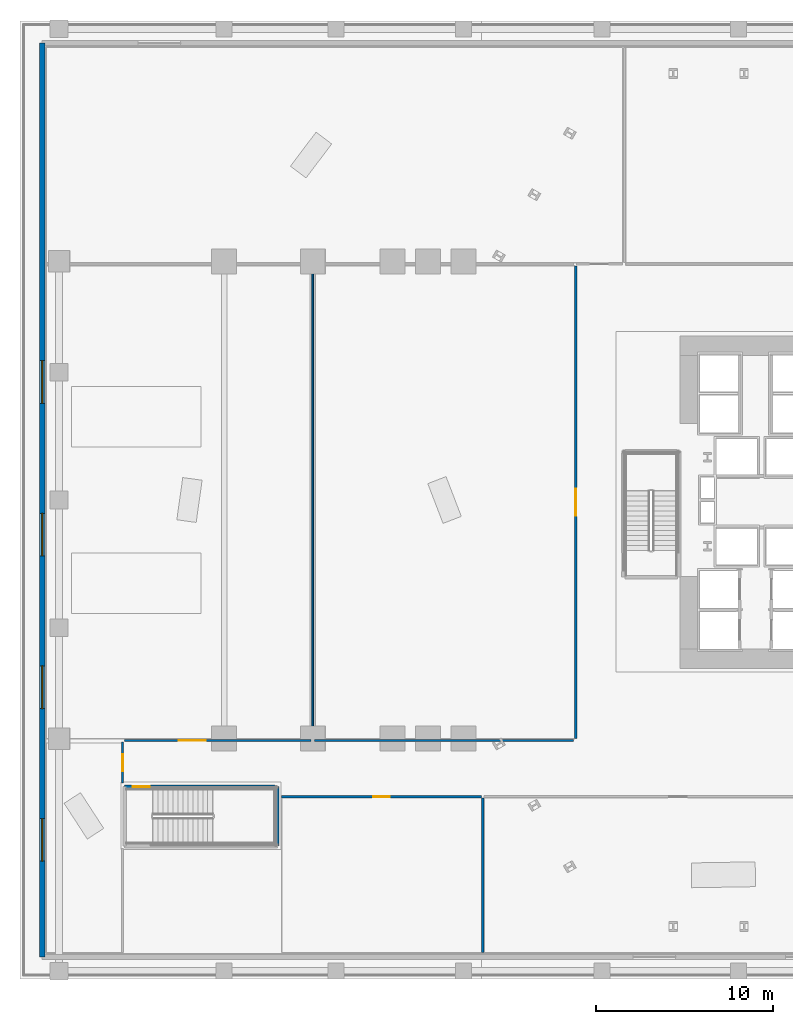
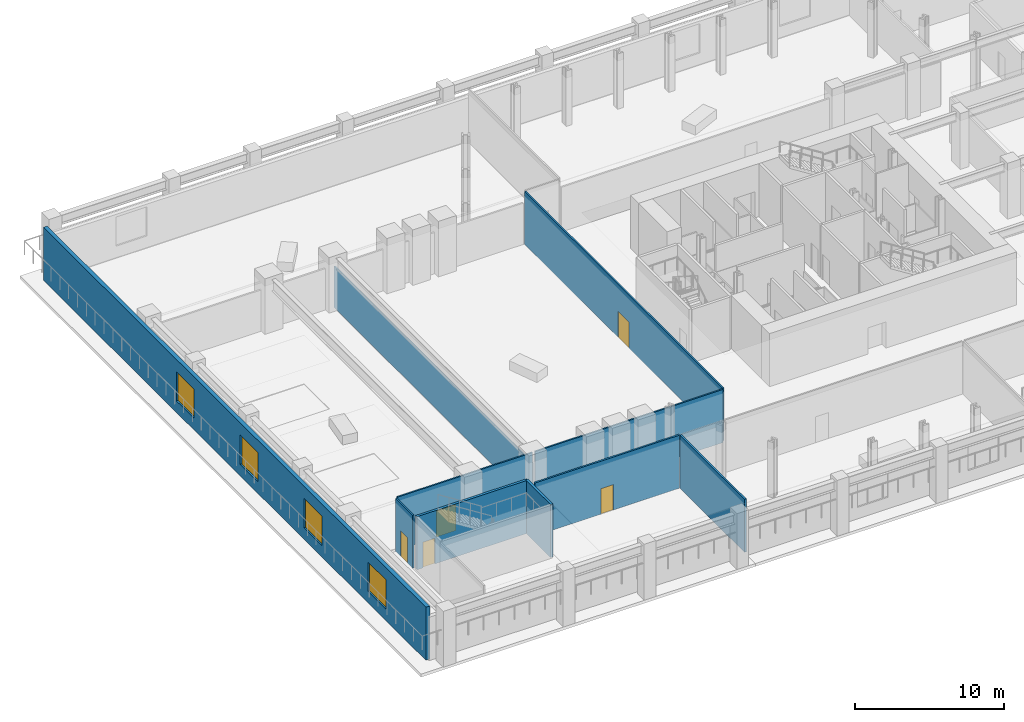
# One storey, part 3 of 18: 10 walls, 5 doors, 4 windows, 9 openings.
"""IFC4 building model written with IfcOpenShell, lengths in metres."""

from ifc_helpers import new_model, si_unit, direction, frame, frame_2d, origin, place, context, subcontext, project, spatial, rectangle, extrude, material, layer, layer_set, type_object, element, fill, save


model = new_model("IFC4")

# Units and contexts
model_context = context("Model", 3, precision=1e-05, world=origin(), true_north=direction((0.0, 1.0)))
body_context = subcontext(model_context, "Body", "Model", "MODEL_VIEW")
ifc_project = project(units=[si_unit("LENGTHUNIT", "METRE"), si_unit("AREAUNIT", "SQUARE_METRE"), si_unit("VOLUMEUNIT", "CUBIC_METRE"), si_unit("PLANEANGLEUNIT", "RADIAN"), si_unit("MASSUNIT", "GRAM", prefix="KILO")], contexts=[model_context])

# Site, building, storey
site_placement = place(None, origin())
site = spatial("IfcSite", under=ifc_project, at=site_placement, CompositionType="ELEMENT")
building_placement = place(site_placement, origin())
building = spatial("IfcBuilding", under=site, at=building_placement, Name="Valkerne Bourse Tower", CompositionType="ELEMENT")
storey_placement = place(building_placement, frame((0.0, 0.0, 10.199951171875)))
storey = spatial("IfcBuildingStorey", under=building, at=storey_placement, Name="L02", CompositionType="ELEMENT", Elevation=10.199951171875)

# Wall, opening, door
ifc_material_1 = material(Name="Gypsum Board Steel-Stud Partition", Category="steel")
ifc_layer_1 = layer(ifc_material_1, 0.117919921875)
ifc_layer_set_1 = layer_set([ifc_layer_1], Name="Gypsum Board Steel-Stud Partition")
wall_type_1 = type_object("IfcWallType", Name="W-CORR-140", PredefinedType="PARTITIONING", material=ifc_layer_set_1)
wall_1_placement = place(storey_placement, frame((5.780029296875, 11.050048828125, 0.0), z_axis=(0.0, 0.0, 1.0), x_axis=(0.0, 1.0, 0.0)))
wall_1 = element("IfcWall", 1, at=wall_1_placement, inside=storey, type_object=wall_type_1, Name="L02 L02 South-West Operations Office Wall", PredefinedType="PARTITIONING", context=body_context, shape_type="SweptSolid", body=[
    extrude(rectangle(XDim=2.300048828125, YDim=0.117919921875, at=frame_2d((1.14990234375, 0.0))), origin(), (0.0, 0.0, 1.0), 4.360107421875),
])
opening_1_placement = place(wall_1_placement, frame((0.675048828125, 0.0, 0.0)))
opening_1 = element("IfcOpeningElement", 2, at=opening_1_placement, cuts=wall_1, Name="Opening D-OF-950", PredefinedType="OPENING", context=body_context, shape_type="SweptSolid", body=[
    extrude(rectangle(XDim=0.949951171875, YDim=2.10009765625, at=frame_2d((0.47509765625, 1.050048828125))), frame((0.0, 0.06884765625, 0.0), z_axis=(0.0, -1.0, 0.0), x_axis=(1.0, 0.0, 0.0)), (0.0, 0.0, 1.0), 0.137939453125),
])
ifc_material_2 = material(Name="Architectural White Oak Timber", Category="wood")
door_type_1 = type_object("IfcDoorType", Name="DR-OFF-950", OperationType="NOTDEFINED", PredefinedType="DOOR", material=ifc_material_2)
door_1_placement = place(opening_1_placement, origin())
door_1 = element("IfcDoor", 3, at=door_1_placement, inside=storey, type_object=door_type_1, Name="L02 L02 SW Office Door", OperationType="SINGLE_SWING_RIGHT", OverallHeight=2.10009765625, OverallWidth=0.949951171875, PredefinedType="DOOR", context=body_context, shape_type="SweptSolid", body=[
    extrude(rectangle(XDim=0.949951171875, YDim=2.10009765625, at=frame_2d((0.47509765625, 1.050048828125))), frame((0.0, 0.02490234375, 0.0), z_axis=(0.0, -1.0, 0.0), x_axis=(1.0, 0.0, 0.0)), (0.0, 0.0, 1.0), 0.050048828125),
])
fill(opening_1, door_1)

wall_2_placement = place(storey_placement, frame((5.89990234375, 13.449951171875, 0.0), z_axis=(0.0, 0.0, 1.0), x_axis=(1.0, 0.0, 0.0)))
wall_2 = element("IfcWall", 4, at=wall_2_placement, inside=storey, type_object=wall_type_1, Name="L02 L02 West Options Trading Office Wall", PredefinedType="PARTITIONING", context=body_context, shape_type="SweptSolid", body=[
    extrude(rectangle(XDim=10.5, YDim=0.117919921875, at=frame_2d((5.25, 0.0))), origin(), (0.0, 0.0, 1.0), 4.360107421875),
])
opening_2_placement = place(wall_2_placement, frame((3.06005859375, 0.0, 0.0)))
opening_2 = element("IfcOpeningElement", 5, at=opening_2_placement, cuts=wall_2, Name="Opening D-CR-1500", PredefinedType="OPENING", context=body_context, shape_type="SweptSolid", body=[
    extrude(rectangle(XDim=1.5, YDim=2.14990234375, at=frame_2d((0.75, 1.074951171875))), frame((0.0, 0.06884765625, 0.0), z_axis=(0.0, -1.0, 0.0), x_axis=(1.0, 0.0, 0.0)), (0.0, 0.0, 1.0), 0.137939453125),
])
ifc_material_3 = material(Name="Galvanised Painted Steel", Category="steel")
door_type_2 = type_object("IfcDoorType", Name="DR-CORR-1500", OperationType="DOUBLE_DOOR_SINGLE_SWING", PredefinedType="DOOR", material=ifc_material_3)
door_2_placement = place(opening_2_placement, origin())
door_2 = element("IfcDoor", 6, at=door_2_placement, inside=storey, type_object=door_type_2, Name="L02 L02 West Options Office Door", OperationType="DOUBLE_DOOR_SINGLE_SWING", OverallHeight=2.14990234375, OverallWidth=1.5, PredefinedType="DOOR", context=body_context, shape_type="SweptSolid", body=[
    extrude(rectangle(XDim=1.5, YDim=2.14990234375, at=frame_2d((0.75, 1.074951171875))), frame((0.0, 0.02490234375, 0.0), z_axis=(0.0, -1.0, 0.0), x_axis=(1.0, 0.0, 0.0)), (0.0, 0.0, 1.0), 0.050048828125),
])
fill(opening_2, door_2)

# Wall
wall_3_placement = place(storey_placement, frame((16.60009765625, 13.449951171875, 0.0), z_axis=(0.0, 0.0, 1.0), x_axis=(1.0, 0.0, 0.0)))
element("IfcWall", 7, at=wall_3_placement, inside=storey, type_object=wall_type_1, Name="L02 L02 Central Futures Trading Office Wall", PredefinedType="PARTITIONING", context=body_context, shape_type="SweptSolid", body=[
    extrude(rectangle(XDim=14.599853515625, YDim=0.117919921875, at=frame_2d((7.2998046875, 0.0))), origin(), (0.0, 0.0, 1.0), 4.360107421875),
])

# Wall, opening, door
wall_4_placement = place(storey_placement, frame((31.320068359375, 13.550048828125, 0.0), z_axis=(0.0, 0.0, 1.0), x_axis=(0.0, 1.0, 0.0)))
wall_4 = element("IfcWall", 8, at=wall_4_placement, inside=storey, type_object=wall_type_1, Name="L02 L02 Central Futures Trading Office Wall", PredefinedType="PARTITIONING", context=body_context, shape_type="SweptSolid", body=[
    extrude(rectangle(XDim=26.64990234375, YDim=0.117919921875, at=frame_2d((13.324951171875, 0.0))), origin(), (0.0, 0.0, 1.0), 4.360107421875),
])
opening_3_placement = place(wall_4_placement, frame((12.574951171875, 0.0, 0.0)))
opening_3 = element("IfcOpeningElement", 9, at=opening_3_placement, cuts=wall_4, Name="Opening D-CR-1500", PredefinedType="OPENING", context=body_context, shape_type="SweptSolid", body=[
    extrude(rectangle(XDim=1.5, YDim=2.14990234375, at=frame_2d((0.75, 1.074951171875))), frame((0.0, 0.06884765625, 0.0), z_axis=(0.0, -1.0, 0.0), x_axis=(1.0, 0.0, 0.0)), (0.0, 0.0, 1.0), 0.137939453125),
])
door_3_placement = place(opening_3_placement, origin())
door_3 = element("IfcDoor", 10, at=door_3_placement, inside=storey, type_object=door_type_2, Name="L02 L02 Central Futures Office Door", OperationType="DOUBLE_DOOR_SINGLE_SWING", OverallHeight=2.14990234375, OverallWidth=1.5, PredefinedType="DOOR", context=body_context, shape_type="SweptSolid", body=[
    extrude(rectangle(XDim=1.5, YDim=2.14990234375, at=frame_2d((0.75, 1.074951171875))), frame((0.0, 0.02490234375, 0.0), z_axis=(0.0, -1.0, 0.0), x_axis=(1.0, 0.0, 0.0)), (0.0, 0.0, 1.0), 0.050048828125),
])
fill(opening_3, door_3)

# Wall, openings, windows
ifc_material_4 = material(Name="Bronze Anodised Aluminium AA 6063-T6", Category="aluminium")
ifc_layer_2 = layer(ifc_material_4, 0.300048828125)
ifc_layer_set_2 = layer_set([ifc_layer_2], Name="Bronze Anodised Aluminium AA 6063-T6")
wall_type_2 = type_object("IfcWallType", Name="W-EXT-ALUM-300", PredefinedType="STANDARD", material=ifc_layer_set_2)
wall_5_placement = place(storey_placement, frame((1.25, 1.25, 0.0), z_axis=(0.0, 0.0, 1.0), x_axis=(0.0, 1.0, 0.0)))
wall_5 = element("IfcWall", 11, at=wall_5_placement, inside=storey, type_object=wall_type_2, Name="L02 Podium Exterior Wall WEST", PredefinedType="STANDARD", context=body_context, shape_type="SweptSolid", body=[
    extrude(rectangle(XDim=51.5, YDim=0.300048828125, at=frame_2d((25.75, 0.0))), origin(), (0.0, 0.0, 1.0), 4.360107421875),
])
opening_4_placement = place(wall_5_placement, frame((5.39990234375, 0.0, 0.949951171875)))
opening_4 = element("IfcOpeningElement", 12, at=opening_4_placement, cuts=wall_5, Name="Opening WN-02", PredefinedType="OPENING", context=body_context, shape_type="SweptSolid", body=[
    extrude(rectangle(XDim=2.39990234375, YDim=2.39990234375, at=frame_2d((1.199951171875, 1.199951171875))), frame((0.0, 0.159912109375, 0.0), z_axis=(0.0, -1.0, 0.0), x_axis=(1.0, 0.0, 0.0)), (0.0, 0.0, 1.0), 0.320068359375),
])
opening_5_placement = place(wall_5_placement, frame((14.0, 0.0, 0.949951171875)))
opening_5 = element("IfcOpeningElement", 13, at=opening_5_placement, cuts=wall_5, Name="Opening WN-02", PredefinedType="OPENING", context=body_context, shape_type="SweptSolid", body=[
    extrude(rectangle(XDim=2.39990234375, YDim=2.39990234375, at=frame_2d((1.199951171875, 1.199951171875))), frame((0.0, 0.159912109375, 0.0), z_axis=(0.0, -1.0, 0.0), x_axis=(1.0, 0.0, 0.0)), (0.0, 0.0, 1.0), 0.320068359375),
])
opening_6_placement = place(wall_5_placement, frame((22.60009765625, 0.0, 0.949951171875)))
opening_6 = element("IfcOpeningElement", 14, at=opening_6_placement, cuts=wall_5, Name="Opening WN-02", PredefinedType="OPENING", context=body_context, shape_type="SweptSolid", body=[
    extrude(rectangle(XDim=2.39990234375, YDim=2.39990234375, at=frame_2d((1.199951171875, 1.199951171875))), frame((0.0, 0.159912109375, 0.0), z_axis=(0.0, -1.0, 0.0), x_axis=(1.0, 0.0, 0.0)), (0.0, 0.0, 1.0), 0.320068359375),
])
opening_7_placement = place(wall_5_placement, frame((31.199951171875, 0.0, 0.949951171875)))
opening_7 = element("IfcOpeningElement", 15, at=opening_7_placement, cuts=wall_5, Name="Opening WN-02", PredefinedType="OPENING", context=body_context, shape_type="SweptSolid", body=[
    extrude(rectangle(XDim=2.39990234375, YDim=2.39990234375, at=frame_2d((1.199951171875, 1.199951171875))), frame((0.0, 0.159912109375, 0.0), z_axis=(0.0, -1.0, 0.0), x_axis=(1.0, 0.0, 0.0)), (0.0, 0.0, 1.0), 0.320068359375),
])
ifc_material_5 = material(Name="Glass IGU Low-E Double Glazed", Category="glass")
window_type = type_object("IfcWindowType", Name="WIN-POD-2400X2400", PartitioningType="SINGLE_PANEL", PredefinedType="WINDOW", material=ifc_material_5)
window_1_placement = place(opening_4_placement, origin())
window_1 = element("IfcWindow", 16, at=window_1_placement, inside=storey, type_object=window_type, Name="L02 Podium Low-E Window 01", OverallHeight=2.39990234375, OverallWidth=2.39990234375, PartitioningType="SINGLE_PANEL", PredefinedType="WINDOW", context=body_context, shape_type="SweptSolid", body=[
    extrude(rectangle(XDim=2.39990234375, YDim=2.39990234375, at=frame_2d((1.199951171875, 1.199951171875))), frame((0.0, 0.030029296875, 0.0), z_axis=(0.0, -1.0, 0.0), x_axis=(1.0, 0.0, 0.0)), (0.0, 0.0, 1.0), 0.06005859375),
])
fill(opening_4, window_1)
window_2_placement = place(opening_5_placement, origin())
window_2 = element("IfcWindow", 17, at=window_2_placement, inside=storey, type_object=window_type, Name="L02 Podium Low-E Window 02", OverallHeight=2.39990234375, OverallWidth=2.39990234375, PartitioningType="SINGLE_PANEL", PredefinedType="WINDOW", context=body_context, shape_type="SweptSolid", body=[
    extrude(rectangle(XDim=2.39990234375, YDim=2.39990234375, at=frame_2d((1.199951171875, 1.199951171875))), frame((0.0, 0.030029296875, 0.0), z_axis=(0.0, -1.0, 0.0), x_axis=(1.0, 0.0, 0.0)), (0.0, 0.0, 1.0), 0.06005859375),
])
fill(opening_5, window_2)
window_3_placement = place(opening_6_placement, origin())
window_3 = element("IfcWindow", 18, at=window_3_placement, inside=storey, type_object=window_type, Name="L02 Podium Low-E Window 03", OverallHeight=2.39990234375, OverallWidth=2.39990234375, PartitioningType="SINGLE_PANEL", PredefinedType="WINDOW", context=body_context, shape_type="SweptSolid", body=[
    extrude(rectangle(XDim=2.39990234375, YDim=2.39990234375, at=frame_2d((1.199951171875, 1.199951171875))), frame((0.0, 0.030029296875, 0.0), z_axis=(0.0, -1.0, 0.0), x_axis=(1.0, 0.0, 0.0)), (0.0, 0.0, 1.0), 0.06005859375),
])
fill(opening_6, window_3)
window_4_placement = place(opening_7_placement, origin())
window_4 = element("IfcWindow", 19, at=window_4_placement, inside=storey, type_object=window_type, Name="L02 Podium Low-E Window 04", OverallHeight=2.39990234375, OverallWidth=2.39990234375, PartitioningType="SINGLE_PANEL", PredefinedType="WINDOW", context=body_context, shape_type="SweptSolid", body=[
    extrude(rectangle(XDim=2.39990234375, YDim=2.39990234375, at=frame_2d((1.199951171875, 1.199951171875))), frame((0.0, 0.030029296875, 0.0), z_axis=(0.0, -1.0, 0.0), x_axis=(1.0, 0.0, 0.0)), (0.0, 0.0, 1.0), 0.06005859375),
])
fill(opening_7, window_4)

# Wall
ifc_layer_3 = layer(ifc_material_1, 0.092041015625)
ifc_layer_set_3 = layer_set([ifc_layer_3], Name="Gypsum Board Steel-Stud Partition")
wall_type_3 = type_object("IfcWallType", Name="W-PART-115", PredefinedType="PARTITIONING", material=ifc_layer_set_3)
wall_6_placement = place(storey_placement, frame((16.5, 13.550048828125, 0.0), z_axis=(0.0, 0.0, 1.0), x_axis=(0.0, 1.0, 0.0)))
element("IfcWall", 20, at=wall_6_placement, inside=storey, type_object=wall_type_3, Name="L02 L02 West Options Trading Office Wall", PredefinedType="PARTITIONING", context=body_context, shape_type="SweptSolid", body=[
    extrude(rectangle(XDim=26.64990234375, YDim=0.092041015625, at=frame_2d((13.324951171875, 0.0))), origin(), (0.0, 0.0, 1.0), 3.400146484375),
])

# Wall, opening, door
ifc_material_6 = material(Name="Concrete C40/50", Category="concrete")
ifc_layer_4 = layer(ifc_material_6, 0.199951171875)
ifc_layer_set_4 = layer_set([ifc_layer_4], Name="Concrete C40/50")
wall_type_4 = type_object("IfcWallType", Name="W-SHF-200", PredefinedType="SHEAR", material=ifc_layer_set_4)
wall_7_placement = place(storey_placement, frame((5.89990234375, 10.85009765625, 0.0), z_axis=(0.0, 0.0, 1.0), x_axis=(1.0, 0.0, 0.0)))
wall_7 = element("IfcWall", 21, at=wall_7_placement, inside=storey, type_object=wall_type_4, Name="L02 Exit Stair ST-P1 Structural North Wall", PredefinedType="SHEAR", context=body_context, shape_type="SweptSolid", body=[
    extrude(rectangle(XDim=8.60009765625, YDim=0.199951171875, at=frame_2d((4.300048828125, 0.0))), origin(), (0.0, 0.0, 1.0), 4.360107421875),
])
opening_8_placement = place(wall_7_placement, frame((0.449951171875, 0.0, 0.0)))
opening_8 = element("IfcOpeningElement", 22, at=opening_8_placement, cuts=wall_7, Name="Opening D-ST-950", PredefinedType="OPENING", context=body_context, shape_type="SweptSolid", body=[
    extrude(rectangle(XDim=0.949951171875, YDim=2.10009765625, at=frame_2d((0.47509765625, 1.050048828125))), frame((0.0, 0.10986328125, 0.0), z_axis=(0.0, -1.0, 0.0), x_axis=(1.0, 0.0, 0.0)), (0.0, 0.0, 1.0), 0.219970703125),
])
door_type_3 = type_object("IfcDoorType", Name="DR-STAIR-950", OperationType="NOTDEFINED", PredefinedType="DOOR", material=ifc_material_3)
door_4_placement = place(opening_8_placement, origin())
door_4 = element("IfcDoor", 23, at=door_4_placement, inside=storey, type_object=door_type_3, Name="L02 Exit Stair ST-P1 Door", OperationType="SINGLE_SWING_RIGHT", OverallHeight=2.10009765625, OverallWidth=0.949951171875, PredefinedType="DOOR", context=body_context, shape_type="SweptSolid", body=[
    extrude(rectangle(XDim=0.949951171875, YDim=2.10009765625, at=frame_2d((0.47509765625, 1.050048828125))), frame((0.0, 0.02490234375, 0.0), z_axis=(0.0, -1.0, 0.0), x_axis=(1.0, 0.0, 0.0)), (0.0, 0.0, 1.0), 0.050048828125),
])
fill(opening_8, door_4)

# Walls
wall_8_placement = place(storey_placement, frame((14.5, 7.5, 0.0), z_axis=(0.0, 0.0, 1.0), x_axis=(0.0, 1.0, 0.0)))
element("IfcWall", 24, at=wall_8_placement, inside=storey, type_object=wall_type_4, Name="L02 Exit Stair ST-P1 Structural East Wall", PredefinedType="SHEAR", context=body_context, shape_type="SweptSolid", body=[
    extrude(rectangle(XDim=3.35009765625, YDim=0.199951171875, at=frame_2d((1.675048828125, 0.0))), origin(), (0.0, 0.0, 1.0), 4.360107421875),
])
ifc_material_7 = material(Name="Moisture-Resistant Gypsum Partition", Category="gypsum")
ifc_layer_5 = layer(ifc_material_7, 0.139892578125)
ifc_layer_set_5 = layer_set([ifc_layer_5], Name="Moisture-Resistant Gypsum Partition")
wall_type_5 = type_object("IfcWallType", Name="W-WET-140", PredefinedType="PARTITIONING", material=ifc_layer_set_5)
wall_9_placement = place(storey_placement, frame((26.080078125, 1.5, 0.0), z_axis=(0.0, 0.0, 1.0), x_axis=(0.0, 1.0, 0.0)))
element("IfcWall", 25, at=wall_9_placement, inside=storey, type_object=wall_type_5, Name="L02 L02 Staff Break Kitchen & Pantry Wall", PredefinedType="PARTITIONING", context=body_context, shape_type="SweptSolid", body=[
    extrude(rectangle(XDim=8.699951171875, YDim=0.139892578125, at=frame_2d((4.35009765625, 0.0))), origin(), (0.0, 0.0, 1.0), 4.360107421875),
])

# Wall, opening, door
wall_10_placement = place(storey_placement, frame((14.75, 10.280029296875, 0.0), z_axis=(0.0, 0.0, 1.0), x_axis=(1.0, 0.0, 0.0)))
wall_10 = element("IfcWall", 26, at=wall_10_placement, inside=storey, type_object=wall_type_5, Name="L02 L02 Staff Break Kitchen & Pantry Wall", PredefinedType="PARTITIONING", context=body_context, shape_type="SweptSolid", body=[
    extrude(rectangle(XDim=11.25, YDim=0.139892578125, at=frame_2d((5.625, 0.0))), origin(), (0.0, 0.0, 1.0), 4.360107421875),
])
opening_9_placement = place(wall_10_placement, frame((5.14990234375, 0.0, 0.0)))
opening_9 = element("IfcOpeningElement", 27, at=opening_9_placement, cuts=wall_10, Name="Opening D-OF-950", PredefinedType="OPENING", context=body_context, shape_type="SweptSolid", body=[
    extrude(rectangle(XDim=0.949951171875, YDim=2.10009765625, at=frame_2d((0.47509765625, 1.050048828125))), frame((0.0, 0.079833984375, 0.0), z_axis=(0.0, -1.0, 0.0), x_axis=(1.0, 0.0, 0.0)), (0.0, 0.0, 1.0), 0.159912109375),
])
door_5_placement = place(opening_9_placement, origin())
door_5 = element("IfcDoor", 28, at=door_5_placement, inside=storey, type_object=door_type_1, Name="L02 L02 Staff Kitchen Door", OperationType="SINGLE_SWING_LEFT", OverallHeight=2.10009765625, OverallWidth=0.949951171875, PredefinedType="DOOR", context=body_context, shape_type="SweptSolid", body=[
    extrude(rectangle(XDim=0.949951171875, YDim=2.10009765625, at=frame_2d((0.47509765625, 1.050048828125))), frame((0.0, 0.02490234375, 0.0), z_axis=(0.0, -1.0, 0.0), x_axis=(1.0, 0.0, 0.0)), (0.0, 0.0, 1.0), 0.050048828125),
])
fill(opening_9, door_5)

save(model, "model.ifc")
